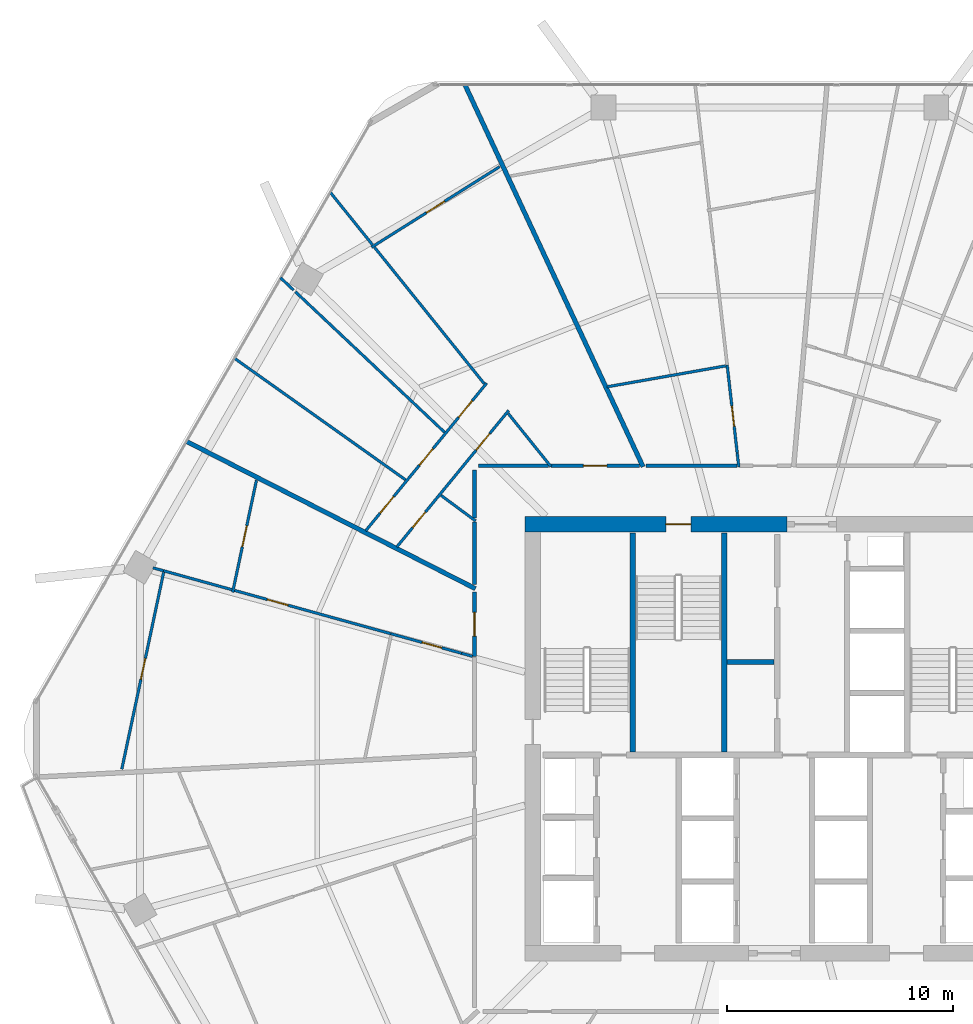
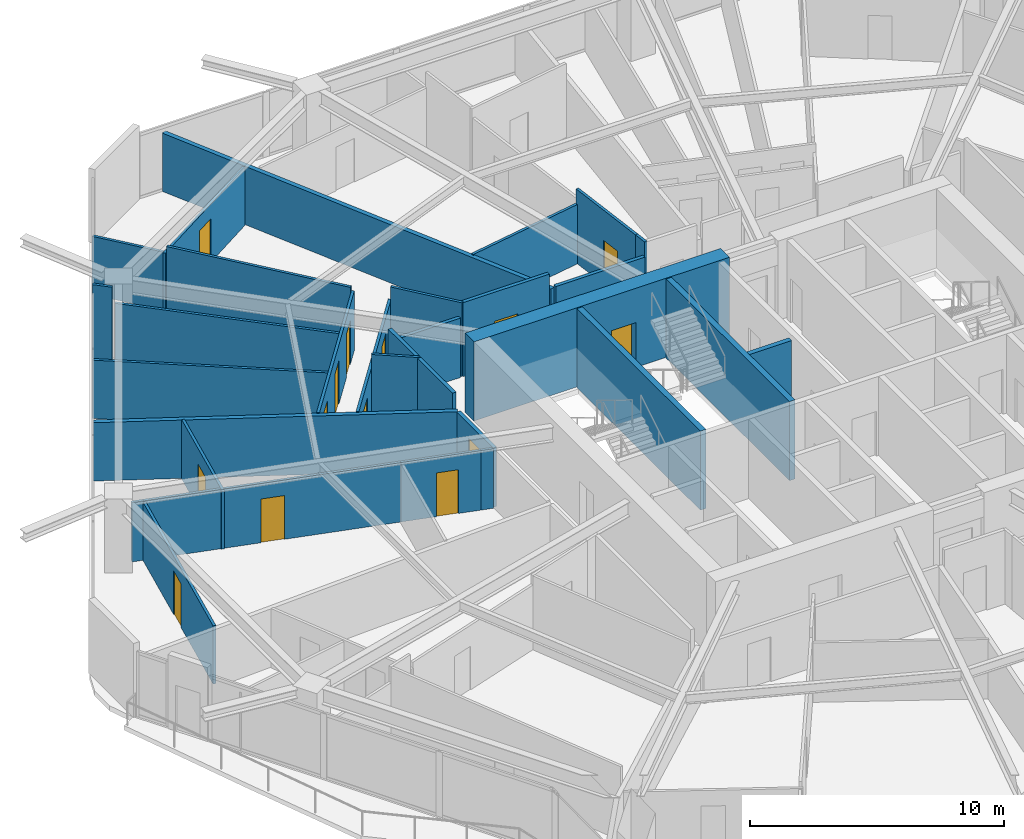
# One storey, part 24 of 29: 32 walls, 14 doors, 14 openings.
"""IFC4 building model written with IfcOpenShell, lengths in metres."""

from ifc_helpers import new_model, si_unit, direction, frame, frame_2d, origin, place, context, subcontext, project, spatial, rectangle, extrude, material, layer, layer_set, type_object, element, fill, save


model = new_model("IFC4")

# Units and contexts
model_context = context("Model", 3, precision=1e-05, world=origin(), true_north=direction((0.0, 1.0)))
body_context = subcontext(model_context, "Body", "Model", "MODEL_VIEW")
ifc_project = project(units=[si_unit("LENGTHUNIT", "METRE"), si_unit("AREAUNIT", "SQUARE_METRE"), si_unit("VOLUMEUNIT", "CUBIC_METRE"), si_unit("PLANEANGLEUNIT", "RADIAN"), si_unit("MASSUNIT", "GRAM", prefix="KILO")], contexts=[model_context])

# Site, building, storey
site_placement = place(None, origin())
site = spatial("IfcSite", under=ifc_project, at=site_placement, CompositionType="ELEMENT")
building_placement = place(site_placement, origin())
building = spatial("IfcBuilding", under=site, at=building_placement, Name="Zuhravey Tower", CompositionType="ELEMENT")
storey_placement = place(building_placement, frame((0.0, 0.0, 134.199951171875)))
storey = spatial("IfcBuildingStorey", under=building, at=storey_placement, Name="L33", CompositionType="ELEMENT", Elevation=134.199951171875)

# Wall, opening, door
ifc_material_1 = material(Name="Concrete C60/75", Category="concrete")
ifc_layer_1 = layer(ifc_material_1, 0.699951171875)
ifc_layer_set_1 = layer_set([ifc_layer_1], Name="Concrete C60/75")
wall_type_1 = type_object("IfcWallType", Name="Core Shear Wall 700", PredefinedType="SHEAR", material=ifc_layer_set_1)
wall_1_placement = place(storey_placement, frame((36.75, 41.5, 0.0), z_axis=(0.0, 0.0, 1.0), x_axis=(-1.0, 0.0, 0.0)))
wall_1 = element("IfcWall", 1, at=wall_1_placement, inside=storey, type_object=wall_type_1, Name="L33 North-West Core Shear Wall CW70", PredefinedType="SHEAR", context=body_context, shape_type="SweptSolid", body=[
    extrude(rectangle(XDim=11.60009765625, YDim=0.699951171875, at=frame_2d((5.800048828125, 0.0))), origin(), (0.0, 0.0, 1.0), 3.800048828125),
])
opening_1_placement = place(wall_1_placement, frame((4.25, 0.0, 0.0)))
opening_1 = element("IfcOpeningElement", 2, at=opening_1_placement, cuts=wall_1, Name="Opening STD1", PredefinedType="OPENING", context=body_context, shape_type="SweptSolid", body=[
    extrude(rectangle(XDim=1.10009765625, YDim=2.14990234375, at=frame_2d((0.550048828125, 1.074951171875))), frame((0.0, 0.362060546875, 0.0), z_axis=(0.0, -1.0, 0.0), x_axis=(1.0, 0.0, 0.0)), (0.0, 0.0, 1.0), 0.723876953125),
])
ifc_material_2 = material(Name="Galvanised fire-rated steel leaf", Category="steel")
door_type_1 = type_object("IfcDoorType", Name="Protected Stair Fire Door 1100x2150", OperationType="NOTDEFINED", PredefinedType="USERDEFINED", material=ifc_material_2)
door_1_placement = place(opening_1_placement, origin())
door_1 = element("IfcDoor", 3, at=door_1_placement, inside=storey, type_object=door_type_1, Name="L33 Stair ST3 Door", ObjectType="EXITDOOR", OperationType="SINGLE_SWING_LEFT", OverallHeight=2.14990234375, OverallWidth=1.10009765625, PredefinedType="USERDEFINED", context=body_context, shape_type="SweptSolid", body=[
    extrude(rectangle(XDim=1.10009765625, YDim=2.14990234375, at=frame_2d((0.550048828125, 1.074951171875))), frame((0.0, 0.02490234375, 0.0), z_axis=(0.0, -1.0, 0.0), x_axis=(1.0, 0.0, 0.0)), (0.0, 0.0, 1.0), 0.050048828125),
])
fill(opening_1, door_1)

ifc_material_3 = material(Name="Gypsum fire-rated stud partition")
ifc_layer_2 = layer(ifc_material_3, 0.159912109375)
ifc_layer_set_2 = layer_set([ifc_layer_2], Name="Gypsum fire-rated stud partition")
wall_type_2 = type_object("IfcWallType", Name="Corridor Fire Partition 160", PredefinedType="PARTITIONING", material=ifc_layer_set_2)
wall_2_placement = place(storey_placement, frame((30.216064453125, 44.080078125, 0.0), z_axis=(0.0, 0.0, 1.0), x_axis=(-1.0, 0.0, 0.0)))
wall_2 = element("IfcWall", 4, at=wall_2_placement, inside=storey, type_object=wall_type_2, Name="L33 IW16 Partition 036", PredefinedType="PARTITIONING", context=body_context, shape_type="SweptSolid", body=[
    extrude(rectangle(XDim=3.909912109375, YDim=0.159912109375, at=frame_2d((1.955078125, 0.0))), origin(), (0.0, 0.0, 1.0), 3.550048828125),
])
opening_2_placement = place(wall_2_placement, frame((1.429931640625, 0.0, 0.0)))
opening_2 = element("IfcOpeningElement", 5, at=opening_2_placement, cuts=wall_2, Name="Opening APD1", PredefinedType="OPENING", context=body_context, shape_type="SweptSolid", body=[
    extrude(rectangle(XDim=1.050048828125, YDim=2.14990234375, at=frame_2d((0.52490234375, 1.074951171875))), frame((0.0, 0.092041015625, 0.0), z_axis=(0.0, -1.0, 0.0), x_axis=(1.0, 0.0, 0.0)), (0.0, 0.0, 1.0), 0.183837890625),
])
ifc_material_4 = material(Name="Solid-core oak fire-rated leaf")
door_type_2 = type_object("IfcDoorType", Name="Apartment Entrance Fire Door 1050x2150", OperationType="NOTDEFINED", PredefinedType="DOOR", material=ifc_material_4)
door_2_placement = place(opening_2_placement, frame((1.050048828125, 0.0, 0.0), z_axis=(0.0, 0.0, 1.0), x_axis=(-1.0, 0.0, 0.0)))
door_2 = element("IfcDoor", 6, at=door_2_placement, inside=storey, type_object=door_type_2, Name="L33 Door 036.1", OperationType="SINGLE_SWING_RIGHT", OverallHeight=2.14990234375, OverallWidth=1.050048828125, PredefinedType="DOOR", context=body_context, shape_type="SweptSolid", body=[
    extrude(rectangle(XDim=1.050048828125, YDim=2.14990234375, at=frame_2d((0.52490234375, 1.074951171875))), frame((0.0, 0.02490234375, 0.0), z_axis=(0.0, -1.0, 0.0), x_axis=(1.0, 0.0, 0.0)), (0.0, 0.0, 1.0), 0.050048828125),
])
fill(opening_2, door_2)

wall_3_placement = place(storey_placement, frame((22.919921875, 38.4990234375, 0.0), z_axis=(0.0, 0.0, 1.0), x_axis=(0.0, -1.0, 0.0)))
wall_3 = element("IfcWall", 7, at=wall_3_placement, inside=storey, type_object=wall_type_2, Name="L33 IW16 Partition 042", PredefinedType="PARTITIONING", context=body_context, shape_type="SweptSolid", body=[
    extrude(rectangle(XDim=2.855712890625, YDim=0.159912109375, at=frame_2d((1.427734375, 0.0))), origin(), (0.0, 0.0, 1.0), 2.85009765625),
])
opening_3_placement = place(wall_3_placement, frame((0.90283203125, 0.0, 0.0)))
opening_3 = element("IfcOpeningElement", 8, at=opening_3_placement, cuts=wall_3, Name="Opening APD1", PredefinedType="OPENING", context=body_context, shape_type="SweptSolid", body=[
    extrude(rectangle(XDim=1.050048828125, YDim=2.14990234375, at=frame_2d((0.52490234375, 1.074951171875))), frame((0.0, 0.092041015625, 0.0), z_axis=(0.0, -1.0, 0.0), x_axis=(1.0, 0.0, 0.0)), (0.0, 0.0, 1.0), 0.183837890625),
])
door_3_placement = place(opening_3_placement, frame((1.050048828125, 0.0, 0.0), z_axis=(0.0, 0.0, 1.0), x_axis=(-1.0, 0.0, 0.0)))
door_3 = element("IfcDoor", 9, at=door_3_placement, inside=storey, type_object=door_type_2, Name="L33 Door 042.1", OperationType="SINGLE_SWING_LEFT", OverallHeight=2.14990234375, OverallWidth=1.050048828125, PredefinedType="DOOR", context=body_context, shape_type="SweptSolid", body=[
    extrude(rectangle(XDim=1.050048828125, YDim=2.14990234375, at=frame_2d((0.52490234375, 1.074951171875))), frame((0.0, 0.02490234375, 0.0), z_axis=(0.0, -1.0, 0.0), x_axis=(1.0, 0.0, 0.0)), (0.0, 0.0, 1.0), 0.050048828125),
])
fill(opening_3, door_3)

# Walls
wall_4_placement = place(storey_placement, frame((34.55078125, 44.080078125, 0.0), z_axis=(0.0, 0.0, 1.0), x_axis=(-1.0, 0.0, 0.0)))
element("IfcWall", 10, at=wall_4_placement, inside=storey, type_object=wall_type_2, Name="L33 IW16 Partition 132", PredefinedType="PARTITIONING", context=body_context, shape_type="SweptSolid", body=[
    extrude(rectangle(XDim=4.033935546875, YDim=0.159912109375, at=frame_2d((2.01708984375, 0.0))), origin(), (0.0, 0.0, 1.0), 2.85009765625),
])
wall_5_placement = place(storey_placement, frame((26.193115234375, 44.080078125, 0.0), z_axis=(0.0, 0.0, 1.0), x_axis=(-1.0, 0.0, 0.0)))
element("IfcWall", 11, at=wall_5_placement, inside=storey, type_object=wall_type_2, Name="L33 IW16 Partition 133", PredefinedType="PARTITIONING", context=body_context, shape_type="SweptSolid", body=[
    extrude(rectangle(XDim=3.093017578125, YDim=0.159912109375, at=frame_2d((1.54638671875, 0.0))), origin(), (0.0, 0.0, 1.0), 2.85009765625),
])
wall_6_placement = place(storey_placement, frame((22.919921875, 43.89990234375, 0.0), z_axis=(0.0, 0.0, 1.0), x_axis=(0.0, -1.0, 0.0)))
element("IfcWall", 12, at=wall_6_placement, inside=storey, type_object=wall_type_2, Name="L33 IW16 Partition 134", PredefinedType="PARTITIONING", context=body_context, shape_type="SweptSolid", body=[
    extrude(rectangle(XDim=2.13720703125, YDim=0.159912109375, at=frame_2d((1.068603515625, 0.0))), origin(), (0.0, 0.0, 1.0), 3.550048828125),
])
wall_7_placement = place(storey_placement, frame((22.919921875, 41.593505859375, 0.0), z_axis=(0.0, 0.0, 1.0), x_axis=(0.0, -1.0, 0.0)))
element("IfcWall", 13, at=wall_7_placement, inside=storey, type_object=wall_type_2, Name="L33 IW16 Partition 135", PredefinedType="PARTITIONING", context=body_context, shape_type="SweptSolid", body=[
    extrude(rectangle(XDim=2.761962890625, YDim=0.159912109375, at=frame_2d((1.380859375, 0.0))), origin(), (0.0, 0.0, 1.0), 3.550048828125),
])
ifc_material_5 = material(Name="Concrete C50/60", Category="concrete")
ifc_layer_3 = layer(ifc_material_5, 0.25)
ifc_layer_set_3 = layer_set([ifc_layer_3], Name="Concrete C50/60")
wall_type_3 = type_object("IfcWallType", Name="Firefighting Shaft & Stair Wall 250", PredefinedType="SOLIDWALL", material=ifc_layer_set_3)
for number, where, z_axis, x_axis, name in (
    (14, (29.925048828125, 31.39990234375, 0.0), (0.0, 0.0, 1.0), (0.0, 1.0, 0.0), "L33 FW25 Shaft Wall 004"),
    (15, (33.97509765625, 31.39990234375, 0.0), (0.0, 0.0, 1.0), (0.0, 1.0, 0.0), "L33 FW25 Shaft Wall 005"),
):
    element("IfcWall", number, at=place(storey_placement, frame(where, z_axis=z_axis, x_axis=x_axis)), inside=storey, type_object=wall_type_3, Name=name, PredefinedType="SOLIDWALL", context=body_context, shape_type="SweptSolid", body=[
        extrude(rectangle(XDim=9.7001953125, YDim=0.25, at=frame_2d((4.85009765625, 0.0))), origin(), (0.0, 0.0, 1.0), 3.800048828125),
    ])
ifc_material_6 = material(Name="Gypsum double-stud party assembly")
ifc_layer_4 = layer(ifc_material_6, 0.199951171875)
ifc_layer_set_4 = layer_set([ifc_layer_4], Name="Gypsum double-stud party assembly")
wall_type_4 = type_object("IfcWallType", Name="Inter-Tenancy Party Wall 200", PredefinedType="PARTITIONING", material=ifc_layer_set_4)
wall_8_placement = place(storey_placement, frame((30.3857421875, 44.0400390625, 0.0), z_axis=(0.0, 0.0, 1.0), x_axis=(-0.422626983595, 0.906303719918, 0.0)))
element("IfcWall", 16, at=wall_8_placement, inside=storey, type_object=wall_type_4, Name="L33 IW20 Partition 091", PredefinedType="PARTITIONING", context=body_context, shape_type="SweptSolid", body=[
    extrude(rectangle(XDim=18.66748046875, YDim=0.199951171875, at=frame_2d((9.333740234375, 0.0))), origin(), (0.0, 0.0, 1.0), 2.800048828125),
])
wall_9_placement = place(storey_placement, frame((22.9599609375, 38.644287109375, 0.0), z_axis=(0.0, 0.0, 1.0), x_axis=(-0.891012124705, 0.453979507939, 0.0)))
element("IfcWall", 17, at=wall_9_placement, inside=storey, type_object=wall_type_4, Name="L33 IW20 Partition 099", PredefinedType="PARTITIONING", context=body_context, shape_type="SweptSolid", body=[
    extrude(rectangle(XDim=14.363037109375, YDim=0.199951171875, at=frame_2d((7.181640625, 0.0))), origin(), (0.0, 0.0, 1.0), 2.800048828125),
])
ifc_material_7 = material(Name="Gypsum acoustic stud assembly")
ifc_layer_5 = layer(ifc_material_7, 0.219970703125)
ifc_layer_set_5 = layer_set([ifc_layer_5], Name="Gypsum acoustic stud assembly")
wall_type_5 = type_object("IfcWallType", Name="School Acoustic Compartment Wall 220", PredefinedType="PARTITIONING", material=ifc_layer_set_5)
wall_10_placement = place(storey_placement, frame((34.10791015625, 35.39990234375, 0.0), z_axis=(0.0, 0.0, 1.0), x_axis=(1.0, 0.0, 0.0)))
element("IfcWall", 18, at=wall_10_placement, inside=storey, type_object=wall_type_5, Name="L33 IW22 Partition 067", PredefinedType="PARTITIONING", context=body_context, shape_type="SweptSolid", body=[
    extrude(rectangle(XDim=2.083984375, YDim=0.219970703125, at=frame_2d((1.0419921875, 0.0))), origin(), (0.0, 0.0, 1.0), 3.550048828125),
])

# Wall, opening, door
ifc_material_8 = material(Name="Gypsum metal-stud partition")
ifc_layer_6 = layer(ifc_material_8, 0.1201171875)
ifc_layer_set_6 = layer_set([ifc_layer_6], Name="Gypsum metal-stud partition")
wall_type_6 = type_object("IfcWallType", Name="Unit Internal Partition 120", PredefinedType="PARTITIONING", material=ifc_layer_set_6)
wall_11_placement = place(storey_placement, frame((34.55419921875, 44.64990234375, 0.0), z_axis=(0.0, 0.0, 1.0), x_axis=(-0.113574688957, 0.993529461077, 0.0)))
wall_11 = element("IfcWall", 19, at=wall_11_placement, inside=storey, type_object=wall_type_6, Name="L33 IW12 Partition 028", PredefinedType="PARTITIONING", context=body_context, shape_type="SweptSolid", body=[
    extrude(rectangle(XDim=3.9208984375, YDim=0.1201171875, at=frame_2d((1.96044921875, 0.0))), origin(), (0.0, 0.0, 1.0), 3.550048828125),
])
opening_4_placement = place(wall_11_placement, frame((1.19677734375, 0.0, 0.0)))
opening_4 = element("IfcOpeningElement", 20, at=opening_4_placement, cuts=wall_11, Name="Opening WCD1", PredefinedType="OPENING", context=body_context, shape_type="SweptSolid", body=[
    extrude(rectangle(XDim=0.89990234375, YDim=2.10009765625, at=frame_2d((0.449951171875, 1.050048828125))), frame((0.0, 0.072021484375, 0.0), z_axis=(0.0, -1.0, 0.0), x_axis=(1.0, 0.0, 0.0)), (0.0, 0.0, 1.0), 0.14404296875),
])
ifc_material_9 = material(Name="Moisture-resistant timber leaf", Category="wood")
door_type_3 = type_object("IfcDoorType", Name="Bathroom & WC Internal Door 900x2100", OperationType="NOTDEFINED", PredefinedType="DOOR", material=ifc_material_9)
door_4_placement = place(opening_4_placement, origin())
door_4 = element("IfcDoor", 21, at=door_4_placement, inside=storey, type_object=door_type_3, Name="Apartment L33-03 Bathroom Door", OperationType="SINGLE_SWING_RIGHT", OverallHeight=2.10009765625, OverallWidth=0.89990234375, PredefinedType="DOOR", context=body_context, shape_type="SweptSolid", body=[
    extrude(rectangle(XDim=0.89990234375, YDim=2.10009765625, at=frame_2d((0.449951171875, 1.050048828125))), frame((0.0, 0.02490234375, 0.0), z_axis=(0.0, -1.0, 0.0), x_axis=(1.0, 0.0, 0.0)), (0.0, 0.0, 1.0), 0.050048828125),
])
fill(opening_4, door_4)

wall_12_placement = place(storey_placement, frame((24.030029296875, 57.32763671875, 0.0), z_axis=(0.0, 0.0, 1.0), x_axis=(-0.846561448229, -0.532291005346, 0.0)))
wall_12 = element("IfcWall", 22, at=wall_12_placement, inside=storey, type_object=wall_type_6, Name="L33 IW12 Partition 033", PredefinedType="PARTITIONING", context=body_context, shape_type="SweptSolid", body=[
    extrude(rectangle(XDim=6.696533203125, YDim=0.1201171875, at=frame_2d((3.34814453125, 0.0))), origin(), (0.0, 0.0, 1.0), 2.800048828125),
])
opening_5_placement = place(wall_12_placement, frame((2.873291015625, 0.0, 0.0)))
opening_5 = element("IfcOpeningElement", 23, at=opening_5_placement, cuts=wall_12, Name="Opening IND1", PredefinedType="OPENING", context=body_context, shape_type="SweptSolid", body=[
    extrude(rectangle(XDim=0.949951171875, YDim=2.10009765625, at=frame_2d((0.47509765625, 1.050048828125))), frame((0.0, 0.072021484375, 0.0), z_axis=(0.0, -1.0, 0.0), x_axis=(1.0, 0.0, 0.0)), (0.0, 0.0, 1.0), 0.14404296875),
])
ifc_material_10 = material(Name="Painted engineered timber leaf", Category="wood")
door_type_4 = type_object("IfcDoorType", Name="Internal Room & Bedroom Door 950x2100", OperationType="NOTDEFINED", PredefinedType="DOOR", material=ifc_material_10)
door_5_placement = place(opening_5_placement, frame((0.949951171875, 0.0, 0.0), z_axis=(0.0, 0.0, 1.0), x_axis=(-1.0, 0.0, 0.0)))
door_5 = element("IfcDoor", 24, at=door_5_placement, inside=storey, type_object=door_type_4, Name="Apartment L33-04 Family Study Door", OperationType="SINGLE_SWING_RIGHT", OverallHeight=2.10009765625, OverallWidth=0.949951171875, PredefinedType="DOOR", context=body_context, shape_type="SweptSolid", body=[
    extrude(rectangle(XDim=0.949951171875, YDim=2.10009765625, at=frame_2d((0.47509765625, 1.050048828125))), frame((0.0, 0.02490234375, 0.0), z_axis=(0.0, -1.0, 0.0), x_axis=(1.0, 0.0, 0.0)), (0.0, 0.0, 1.0), 0.050048828125),
])
fill(opening_5, door_5)

# Wall, openings, doors
wall_13_placement = place(storey_placement, frame((24.43310546875, 46.53564453125, 0.0), z_axis=(0.0, 0.0, 1.0), x_axis=(-0.633934690798, -0.773386583671, 0.0)))
wall_13 = element("IfcWall", 25, at=wall_13_placement, inside=storey, type_object=wall_type_6, Name="L33 IW12 Partition 034", PredefinedType="PARTITIONING", context=body_context, shape_type="SweptSolid", body=[
    extrude(rectangle(XDim=7.818603515625, YDim=0.1201171875, at=frame_2d((3.9091796875, 0.0))), origin(), (0.0, 0.0, 1.0), 2.85009765625),
])
opening_6_placement = place(wall_13_placement, frame((1.3212890625, 0.0, 0.0)))
opening_6 = element("IfcOpeningElement", 26, at=opening_6_placement, cuts=wall_13, Name="Opening IND1", PredefinedType="OPENING", context=body_context, shape_type="SweptSolid", body=[
    extrude(rectangle(XDim=0.949951171875, YDim=2.10009765625, at=frame_2d((0.47509765625, 1.050048828125))), frame((0.0, 0.072021484375, 0.0), z_axis=(0.0, -1.0, 0.0), x_axis=(1.0, 0.0, 0.0)), (0.0, 0.0, 1.0), 0.14404296875),
])
opening_7_placement = place(wall_13_placement, frame((5.8134765625, 0.0, 0.0)))
opening_7 = element("IfcOpeningElement", 27, at=opening_7_placement, cuts=wall_13, Name="Opening WCD1", PredefinedType="OPENING", context=body_context, shape_type="SweptSolid", body=[
    extrude(rectangle(XDim=0.89990234375, YDim=2.10009765625, at=frame_2d((0.449951171875, 1.050048828125))), frame((0.0, 0.072021484375, 0.0), z_axis=(0.0, -1.0, 0.0), x_axis=(1.0, 0.0, 0.0)), (0.0, 0.0, 1.0), 0.14404296875),
])
door_6_placement = place(opening_7_placement, origin())
door_6 = element("IfcDoor", 28, at=door_6_placement, inside=storey, type_object=door_type_3, Name="Apartment L33-04 Bathroom Door", OperationType="SINGLE_SWING_RIGHT", OverallHeight=2.10009765625, OverallWidth=0.89990234375, PredefinedType="DOOR", context=body_context, shape_type="SweptSolid", body=[
    extrude(rectangle(XDim=0.89990234375, YDim=2.10009765625, at=frame_2d((0.449951171875, 1.050048828125))), frame((0.0, 0.02490234375, 0.0), z_axis=(0.0, -1.0, 0.0), x_axis=(1.0, 0.0, 0.0)), (0.0, 0.0, 1.0), 0.050048828125),
])
fill(opening_7, door_6)
door_7_placement = place(opening_6_placement, origin())
door_7 = element("IfcDoor", 29, at=door_7_placement, inside=storey, type_object=door_type_4, Name="Apartment L33-04 Kitchen Door", OperationType="SINGLE_SWING_LEFT", OverallHeight=2.10009765625, OverallWidth=0.949951171875, PredefinedType="DOOR", context=body_context, shape_type="SweptSolid", body=[
    extrude(rectangle(XDim=0.949951171875, YDim=2.10009765625, at=frame_2d((0.47509765625, 1.050048828125))), frame((0.0, 0.02490234375, 0.0), z_axis=(0.0, -1.0, 0.0), x_axis=(1.0, 0.0, 0.0)), (0.0, 0.0, 1.0), 0.050048828125),
])
fill(opening_6, door_7)

wall_14_placement = place(storey_placement, frame((23.45947265625, 47.74560546875, 0.0), z_axis=(0.0, 0.0, 1.0), x_axis=(-0.633918329218, -0.773399994751, 0.0)))
wall_14 = element("IfcWall", 30, at=wall_14_placement, inside=storey, type_object=wall_type_6, Name="L33 IW12 Partition 035", PredefinedType="PARTITIONING", context=body_context, shape_type="SweptSolid", body=[
    extrude(rectangle(XDim=8.455810546875, YDim=0.1201171875, at=frame_2d((4.22802734375, 0.0))), origin(), (0.0, 0.0, 1.0), 2.85009765625),
])
opening_8_placement = place(wall_14_placement, frame((1.010009765625, 0.0, 0.0)))
opening_8 = element("IfcOpeningElement", 31, at=opening_8_placement, cuts=wall_14, Name="Opening IND1", PredefinedType="OPENING", context=body_context, shape_type="SweptSolid", body=[
    extrude(rectangle(XDim=0.949951171875, YDim=2.10009765625, at=frame_2d((0.47509765625, 1.050048828125))), frame((0.0, 0.072021484375, 0.0), z_axis=(0.0, -1.0, 0.0), x_axis=(1.0, 0.0, 0.0)), (0.0, 0.0, 1.0), 0.14404296875),
])
opening_9_placement = place(wall_14_placement, frame((3.7529296875, 0.0, 0.0)))
opening_9 = element("IfcOpeningElement", 32, at=opening_9_placement, cuts=wall_14, Name="Opening IND1", PredefinedType="OPENING", context=body_context, shape_type="SweptSolid", body=[
    extrude(rectangle(XDim=0.949951171875, YDim=2.10009765625, at=frame_2d((0.47509765625, 1.050048828125))), frame((0.0, 0.072021484375, 0.0), z_axis=(0.0, -1.0, 0.0), x_axis=(1.0, 0.0, 0.0)), (0.0, 0.0, 1.0), 0.14404296875),
])
opening_10_placement = place(wall_14_placement, frame((6.495849609375, 0.0, 0.0)))
opening_10 = element("IfcOpeningElement", 33, at=opening_10_placement, cuts=wall_14, Name="Opening IND1", PredefinedType="OPENING", context=body_context, shape_type="SweptSolid", body=[
    extrude(rectangle(XDim=0.949951171875, YDim=2.10009765625, at=frame_2d((0.47509765625, 1.050048828125))), frame((0.0, 0.072021484375, 0.0), z_axis=(0.0, -1.0, 0.0), x_axis=(1.0, 0.0, 0.0)), (0.0, 0.0, 1.0), 0.14404296875),
])
door_8_placement = place(opening_8_placement, frame((0.949951171875, 0.0, 0.0), z_axis=(0.0, 0.0, 1.0), x_axis=(-1.0, 0.0, 0.0)))
door_8 = element("IfcDoor", 34, at=door_8_placement, inside=storey, type_object=door_type_4, Name="Apartment L33-04 Bedroom 1 Door", OperationType="SINGLE_SWING_LEFT", OverallHeight=2.10009765625, OverallWidth=0.949951171875, PredefinedType="DOOR", context=body_context, shape_type="SweptSolid", body=[
    extrude(rectangle(XDim=0.949951171875, YDim=2.10009765625, at=frame_2d((0.47509765625, 1.050048828125))), frame((0.0, 0.02490234375, 0.0), z_axis=(0.0, -1.0, 0.0), x_axis=(1.0, 0.0, 0.0)), (0.0, 0.0, 1.0), 0.050048828125),
])
fill(opening_8, door_8)
door_9_placement = place(opening_9_placement, frame((0.949951171875, 0.0, 0.0), z_axis=(0.0, 0.0, 1.0), x_axis=(-1.0, 0.0, 0.0)))
door_9 = element("IfcDoor", 35, at=door_9_placement, inside=storey, type_object=door_type_4, Name="Apartment L33-04 Bedroom 2 Door", OperationType="SINGLE_SWING_RIGHT", OverallHeight=2.10009765625, OverallWidth=0.949951171875, PredefinedType="DOOR", context=body_context, shape_type="SweptSolid", body=[
    extrude(rectangle(XDim=0.949951171875, YDim=2.10009765625, at=frame_2d((0.47509765625, 1.050048828125))), frame((0.0, 0.02490234375, 0.0), z_axis=(0.0, -1.0, 0.0), x_axis=(1.0, 0.0, 0.0)), (0.0, 0.0, 1.0), 0.050048828125),
])
fill(opening_9, door_9)
door_10_placement = place(opening_10_placement, frame((0.949951171875, 0.0, 0.0), z_axis=(0.0, 0.0, 1.0), x_axis=(-1.0, 0.0, 0.0)))
door_10 = element("IfcDoor", 36, at=door_10_placement, inside=storey, type_object=door_type_4, Name="Apartment L33-04 Bedroom 3 Door", OperationType="SINGLE_SWING_LEFT", OverallHeight=2.10009765625, OverallWidth=0.949951171875, PredefinedType="DOOR", context=body_context, shape_type="SweptSolid", body=[
    extrude(rectangle(XDim=0.949951171875, YDim=2.10009765625, at=frame_2d((0.47509765625, 1.050048828125))), frame((0.0, 0.02490234375, 0.0), z_axis=(0.0, -1.0, 0.0), x_axis=(1.0, 0.0, 0.0)), (0.0, 0.0, 1.0), 0.050048828125),
])
fill(opening_10, door_10)

# Wall, opening, door
wall_15_placement = place(storey_placement, frame((13.2646484375, 43.447021484375, 0.0), z_axis=(0.0, 0.0, 1.0), x_axis=(-0.207901923905, -0.978149676704, 0.0)))
wall_15 = element("IfcWall", 37, at=wall_15_placement, inside=storey, type_object=wall_type_6, Name="L33 IW12 Partition 037", PredefinedType="PARTITIONING", context=body_context, shape_type="SweptSolid", body=[
    extrude(rectangle(XDim=5.072998046875, YDim=0.1201171875, at=frame_2d((2.53662109375, 0.0))), origin(), (0.0, 0.0, 1.0), 2.85009765625),
])
opening_11_placement = place(wall_15_placement, frame((2.0615234375, 0.0, 0.0)))
opening_11 = element("IfcOpeningElement", 38, at=opening_11_placement, cuts=wall_15, Name="Opening IND1", PredefinedType="OPENING", context=body_context, shape_type="SweptSolid", body=[
    extrude(rectangle(XDim=0.949951171875, YDim=2.10009765625, at=frame_2d((0.47509765625, 1.050048828125))), frame((0.0, 0.072021484375, 0.0), z_axis=(0.0, -1.0, 0.0), x_axis=(1.0, 0.0, 0.0)), (0.0, 0.0, 1.0), 0.14404296875),
])
door_11_placement = place(opening_11_placement, frame((0.949951171875, 0.0, 0.0), z_axis=(0.0, 0.0, 1.0), x_axis=(-1.0, 0.0, 0.0)))
door_11 = element("IfcDoor", 39, at=door_11_placement, inside=storey, type_object=door_type_4, Name="Apartment L33-05 Family Study Door", OperationType="SINGLE_SWING_LEFT", OverallHeight=2.10009765625, OverallWidth=0.949951171875, PredefinedType="DOOR", context=body_context, shape_type="SweptSolid", body=[
    extrude(rectangle(XDim=0.949951171875, YDim=2.10009765625, at=frame_2d((0.47509765625, 1.050048828125))), frame((0.0, 0.02490234375, 0.0), z_axis=(0.0, -1.0, 0.0), x_axis=(1.0, 0.0, 0.0)), (0.0, 0.0, 1.0), 0.050048828125),
])
fill(opening_11, door_11)

wall_16_placement = place(storey_placement, frame((22.35009765625, 35.7802734375, 0.0), z_axis=(0.0, 0.0, 1.0), x_axis=(-0.963728241007, 0.266885513816, 0.0)))
wall_16 = element("IfcWall", 40, at=wall_16_placement, inside=storey, type_object=wall_type_6, Name="L33 IW12 Partition 038", PredefinedType="PARTITIONING", context=body_context, shape_type="SweptSolid", body=[
    extrude(rectangle(XDim=3.2548828125, YDim=0.1201171875, at=frame_2d((1.62744140625, 0.0))), origin(), (0.0, 0.0, 1.0), 2.85009765625),
])
opening_12_placement = place(wall_16_placement, frame((0.9169921875, 0.0, 0.0)))
opening_12 = element("IfcOpeningElement", 41, at=opening_12_placement, cuts=wall_16, Name="Opening WCD1", PredefinedType="OPENING", context=body_context, shape_type="SweptSolid", body=[
    extrude(rectangle(XDim=0.89990234375, YDim=2.10009765625, at=frame_2d((0.449951171875, 1.050048828125))), frame((0.0, 0.072021484375, 0.0), z_axis=(0.0, -1.0, 0.0), x_axis=(1.0, 0.0, 0.0)), (0.0, 0.0, 1.0), 0.14404296875),
])
door_12_placement = place(opening_12_placement, origin())
door_12 = element("IfcDoor", 42, at=door_12_placement, inside=storey, type_object=door_type_3, Name="Apartment L33-05 Bathroom Door", OperationType="SINGLE_SWING_RIGHT", OverallHeight=2.10009765625, OverallWidth=0.89990234375, PredefinedType="DOOR", context=body_context, shape_type="SweptSolid", body=[
    extrude(rectangle(XDim=0.89990234375, YDim=2.10009765625, at=frame_2d((0.449951171875, 1.050048828125))), frame((0.0, 0.02490234375, 0.0), z_axis=(0.0, -1.0, 0.0), x_axis=(1.0, 0.0, 0.0)), (0.0, 0.0, 1.0), 0.050048828125),
])
fill(opening_12, door_12)

wall_17_placement = place(storey_placement, frame((19.21337890625, 36.64892578125, 0.0), z_axis=(0.0, 0.0, 1.0), x_axis=(-0.963719388082, 0.266917479821, 0.0)))
wall_17 = element("IfcWall", 43, at=wall_17_placement, inside=storey, type_object=wall_type_6, Name="L33 IW12 Partition 039", PredefinedType="PARTITIONING", context=body_context, shape_type="SweptSolid", body=[
    extrude(rectangle(XDim=7.177490234375, YDim=0.1201171875, at=frame_2d((3.5888671875, 0.0))), origin(), (0.0, 0.0, 1.0), 2.85009765625),
])
opening_13_placement = place(wall_17_placement, frame((4.724609375, 0.0, 0.0)))
opening_13 = element("IfcOpeningElement", 44, at=opening_13_placement, cuts=wall_17, Name="Opening IND1", PredefinedType="OPENING", context=body_context, shape_type="SweptSolid", body=[
    extrude(rectangle(XDim=0.949951171875, YDim=2.10009765625, at=frame_2d((0.47509765625, 1.050048828125))), frame((0.0, 0.072021484375, 0.0), z_axis=(0.0, -1.0, 0.0), x_axis=(1.0, 0.0, 0.0)), (0.0, 0.0, 1.0), 0.14404296875),
])
door_13_placement = place(opening_13_placement, origin())
door_13 = element("IfcDoor", 45, at=door_13_placement, inside=storey, type_object=door_type_4, Name="Apartment L33-05 Home Office Door", OperationType="SINGLE_SWING_LEFT", OverallHeight=2.10009765625, OverallWidth=0.949951171875, PredefinedType="DOOR", context=body_context, shape_type="SweptSolid", body=[
    extrude(rectangle(XDim=0.949951171875, YDim=2.10009765625, at=frame_2d((0.47509765625, 1.050048828125))), frame((0.0, 0.02490234375, 0.0), z_axis=(0.0, -1.0, 0.0), x_axis=(1.0, 0.0, 0.0)), (0.0, 0.0, 1.0), 0.050048828125),
])
fill(opening_13, door_13)

# Wall
wall_18_placement = place(storey_placement, frame((12.165283203125, 38.60107421875, 0.0), z_axis=(0.0, 0.0, 1.0), x_axis=(-0.963725092481, 0.266896882939, 0.0)))
element("IfcWall", 46, at=wall_18_placement, inside=storey, type_object=wall_type_6, Name="L33 IW12 Partition 040", PredefinedType="PARTITIONING", context=body_context, shape_type="SweptSolid", body=[
    extrude(rectangle(XDim=3.1357421875, YDim=0.1201171875, at=frame_2d((1.56787109375, 0.0))), origin(), (0.0, 0.0, 1.0), 2.85009765625),
])

# Wall, opening, door
wall_19_placement = place(storey_placement, frame((9.1533203125, 39.364501953125, 0.0), z_axis=(0.0, 0.0, 1.0), x_axis=(-0.207912484837, -0.978147431959, 0.0)))
wall_19 = element("IfcWall", 47, at=wall_19_placement, inside=storey, type_object=wall_type_6, Name="L33 IW12 Partition 041", PredefinedType="PARTITIONING", context=body_context, shape_type="SweptSolid", body=[
    extrude(rectangle(XDim=8.91259765625, YDim=0.1201171875, at=frame_2d((4.456298828125, 0.0))), origin(), (0.0, 0.0, 1.0), 2.800048828125),
])
opening_14_placement = place(wall_19_placement, frame((3.897216796875, 0.0, 0.0)))
opening_14 = element("IfcOpeningElement", 48, at=opening_14_placement, cuts=wall_19, Name="Opening IND1", PredefinedType="OPENING", context=body_context, shape_type="SweptSolid", body=[
    extrude(rectangle(XDim=0.949951171875, YDim=2.10009765625, at=frame_2d((0.47509765625, 1.050048828125))), frame((0.0, 0.072021484375, 0.0), z_axis=(0.0, -1.0, 0.0), x_axis=(1.0, 0.0, 0.0)), (0.0, 0.0, 1.0), 0.14404296875),
])
door_14_placement = place(opening_14_placement, frame((0.949951171875, 0.0, 0.0), z_axis=(0.0, 0.0, 1.0), x_axis=(-1.0, 0.0, 0.0)))
door_14 = element("IfcDoor", 49, at=door_14_placement, inside=storey, type_object=door_type_4, Name="Apartment L33-05 Kitchen Door", OperationType="SINGLE_SWING_RIGHT", OverallHeight=2.10009765625, OverallWidth=0.949951171875, PredefinedType="DOOR", context=body_context, shape_type="SweptSolid", body=[
    extrude(rectangle(XDim=0.949951171875, YDim=2.10009765625, at=frame_2d((0.47509765625, 1.050048828125))), frame((0.0, 0.02490234375, 0.0), z_axis=(0.0, -1.0, 0.0), x_axis=(1.0, 0.0, 0.0)), (0.0, 0.0, 1.0), 0.050048828125),
])
fill(opening_14, door_14)

# Walls
wall_20_placement = place(storey_placement, frame((34.62451171875, 44.03515625, 0.0), z_axis=(0.0, 0.0, 1.0), x_axis=(-0.113635614935, 0.99352249447, 0.0)))
element("IfcWall", 50, at=wall_20_placement, inside=storey, type_object=wall_type_6, Name="L33 IW12 Partition 088", PredefinedType="PARTITIONING", context=body_context, shape_type="SweptSolid", body=[
    extrude(rectangle(XDim=0.61865234375, YDim=0.1201171875, at=frame_2d((0.309326171875, 0.0))), origin(), (0.0, 0.0, 1.0), 3.550048828125),
])
wall_21_placement = place(storey_placement, frame((34.044677734375, 48.5087890625, 0.0), z_axis=(0.0, 0.0, 1.0), x_axis=(-0.984807496737, -0.173649631067, 0.0)))
element("IfcWall", 51, at=wall_21_placement, inside=storey, type_object=wall_type_6, Name="L33 IW12 Partition 090", PredefinedType="PARTITIONING", context=body_context, shape_type="SweptSolid", body=[
    extrude(rectangle(XDim=5.3369140625, YDim=0.1201171875, at=frame_2d((2.66845703125, 0.0))), origin(), (0.0, 0.0, 1.0), 2.85009765625),
])
wall_22_placement = place(storey_placement, frame((22.969970703125, 41.64111328125, 0.0), z_axis=(0.0, 0.0, 1.0), x_axis=(-0.803872525984, 0.59480161564, 0.0)))
element("IfcWall", 52, at=wall_22_placement, inside=storey, type_object=wall_type_6, Name="L33 IW12 Partition 092", PredefinedType="PARTITIONING", context=body_context, shape_type="SweptSolid", body=[
    extrude(rectangle(XDim=1.90576171875, YDim=0.1201171875, at=frame_2d((0.952880859375, 0.0))), origin(), (0.0, 0.0, 1.0), 3.550048828125),
])
wall_23_placement = place(storey_placement, frame((21.59033203125, 45.57275390625, 0.0), z_axis=(0.0, 0.0, 1.0), x_axis=(-0.727936592343, 0.685644454165, 0.0)))
element("IfcWall", 53, at=wall_23_placement, inside=storey, type_object=wall_type_6, Name="L33 IW12 Partition 093", PredefinedType="PARTITIONING", context=body_context, shape_type="SweptSolid", body=[
    extrude(rectangle(XDim=9.063232421875, YDim=0.1201171875, at=frame_2d((4.53173828125, 0.0))), origin(), (0.0, 0.0, 1.0), 2.800048828125),
])
wall_24_placement = place(storey_placement, frame((14.910888671875, 51.864013671875, 0.0), z_axis=(0.0, 0.0, 1.0), x_axis=(-0.72785685355, 0.68572910157, 0.0)))
element("IfcWall", 54, at=wall_24_placement, inside=storey, type_object=wall_type_6, Name="L33 IW12 Partition 094", PredefinedType="PARTITIONING", context=body_context, shape_type="SweptSolid", body=[
    extrude(rectangle(XDim=0.7939453125, YDim=0.1201171875, at=frame_2d((0.39697265625, 0.0))), origin(), (0.0, 0.0, 1.0), 3.550048828125),
])
wall_25_placement = place(storey_placement, frame((19.863037109375, 43.465087890625, 0.0), z_axis=(0.0, 0.0, 1.0), x_axis=(-0.815192148017, 0.579190609222, 0.0)))
element("IfcWall", 55, at=wall_25_placement, inside=storey, type_object=wall_type_6, Name="L33 IW12 Partition 095", PredefinedType="PARTITIONING", context=body_context, shape_type="SweptSolid", body=[
    extrude(rectangle(XDim=9.302001953125, YDim=0.1201171875, at=frame_2d((4.65087890625, 0.0))), origin(), (0.0, 0.0, 1.0), 2.800048828125),
])
wall_26_placement = place(storey_placement, frame((26.30615234375, 44.048095703125, 0.0), z_axis=(0.0, 0.0, 1.0), x_axis=(-0.626850349404, 0.779139679038, 0.0)))
element("IfcWall", 56, at=wall_26_placement, inside=storey, type_object=wall_type_6, Name="L33 IW12 Partition 096", PredefinedType="PARTITIONING", context=body_context, shape_type="SweptSolid", body=[
    extrude(rectangle(XDim=3.02197265625, YDim=0.1201171875, at=frame_2d((1.510986328125, 0.0))), origin(), (0.0, 0.0, 1.0), 3.550048828125),
])
wall_27_placement = place(storey_placement, frame((23.35107421875, 47.720703125, 0.0), z_axis=(0.0, 0.0, 1.0), x_axis=(-0.62686542239, 0.779127551952, 0.0)))
element("IfcWall", 57, at=wall_27_placement, inside=storey, type_object=wall_type_6, Name="L33 IW12 Partition 097", PredefinedType="PARTITIONING", context=body_context, shape_type="SweptSolid", body=[
    extrude(rectangle(XDim=7.755859375, YDim=0.1201171875, at=frame_2d((3.8779296875, 0.0))), origin(), (0.0, 0.0, 1.0), 3.10009765625),
])
wall_28_placement = place(storey_placement, frame((18.4033203125, 53.8701171875, 0.0), z_axis=(0.0, 0.0, 1.0), x_axis=(-0.626889927329, 0.779107835292, 0.0)))
element("IfcWall", 58, at=wall_28_placement, inside=storey, type_object=wall_type_6, Name="L33 IW12 Partition 098", PredefinedType="PARTITIONING", context=body_context, shape_type="SweptSolid", body=[
    extrude(rectangle(XDim=2.994384765625, YDim=0.1201171875, at=frame_2d((1.4970703125, 0.0))), origin(), (0.0, 0.0, 1.0), 2.800048828125),
])
wall_29_placement = place(storey_placement, frame((22.83203125, 35.646728515625, 0.0), z_axis=(0.0, 0.0, 1.0), x_axis=(-0.9636855789, 0.267039519584, 0.0)))
element("IfcWall", 59, at=wall_29_placement, inside=storey, type_object=wall_type_6, Name="L33 IW12 Partition 100", PredefinedType="PARTITIONING", context=body_context, shape_type="SweptSolid", body=[
    extrude(rectangle(XDim=0.5, YDim=0.1201171875, at=frame_2d((0.25, 0.0))), origin(), (0.0, 0.0, 1.0), 2.85009765625),
])
wall_30_placement = place(storey_placement, frame((9.143310546875, 39.43798828125, 0.0), z_axis=(0.0, 0.0, 1.0), x_axis=(-0.963794427179, 0.266646399072, 0.0)))
element("IfcWall", 60, at=wall_30_placement, inside=storey, type_object=wall_type_6, Name="L33 IW12 Partition 101", PredefinedType="PARTITIONING", context=body_context, shape_type="SweptSolid", body=[
    extrude(rectangle(XDim=0.479736328125, YDim=0.1201171875, at=frame_2d((0.23974609375, 0.0))), origin(), (0.0, 0.0, 1.0), 2.85009765625),
])

save(model, "model.ifc")
